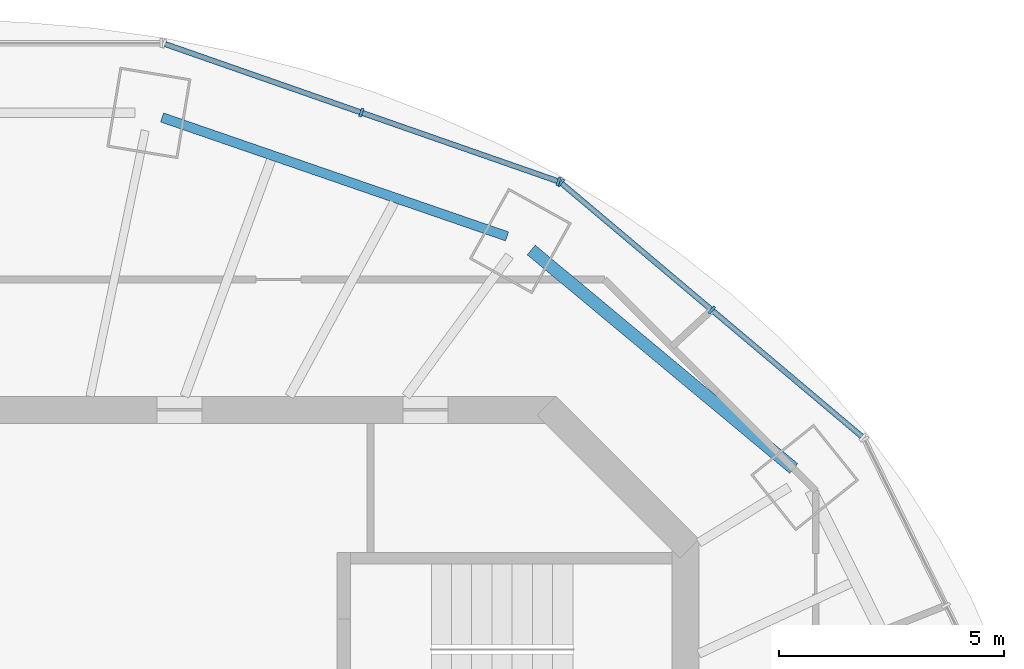
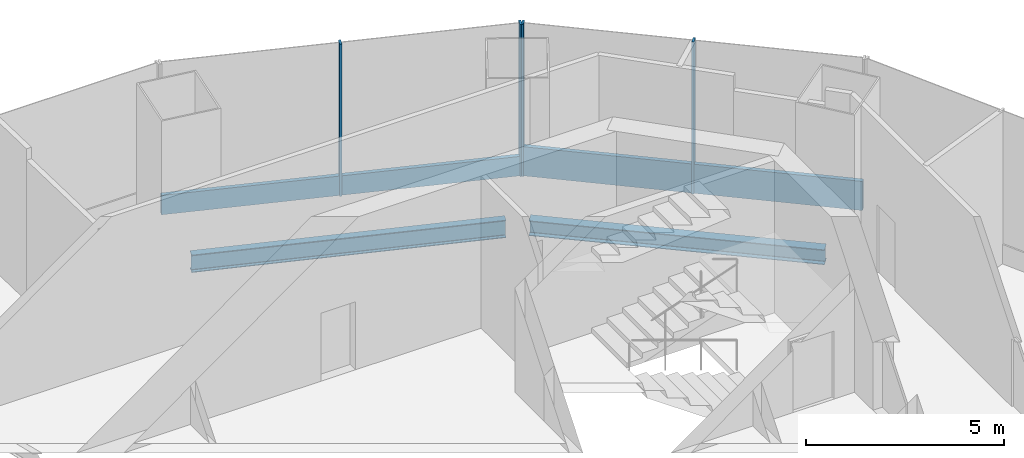
# One storey, part 6 of 11: 6 members, 2 beams, 2 elements without a shape of their own.
"""IFC4 building model written with IfcOpenShell, lengths in metres."""

from ifc_helpers import new_model, si_unit, direction, frame, origin, origin_2d, place, context, subcontext, project, spatial, rectangle, i_section, extrude, material, material_profile, profile_set, type_object, element, aggregate, save


model = new_model("IFC4")

# Units and contexts
model_context = context("Model", 3, precision=1e-05, world=origin(), true_north=direction((0.0, 1.0)))
body_context = subcontext(model_context, "Body", "Model", "MODEL_VIEW")
ifc_project = project(units=[si_unit("LENGTHUNIT", "METRE"), si_unit("AREAUNIT", "SQUARE_METRE"), si_unit("VOLUMEUNIT", "CUBIC_METRE"), si_unit("PLANEANGLEUNIT", "RADIAN"), si_unit("MASSUNIT", "GRAM", prefix="KILO")], contexts=[model_context])

# Site, building, storey
site_placement = place(None, origin())
site = spatial("IfcSite", under=ifc_project, at=site_placement, CompositionType="ELEMENT")
building_placement = place(site_placement, origin())
building = spatial("IfcBuilding", under=site, at=building_placement, Name="Marenthal Gate Tower", CompositionType="ELEMENT")
storey_placement = place(building_placement, frame((0.0, 0.0, 418.550048828125)))
storey = spatial("IfcBuildingStorey", under=building, at=storey_placement, Name="L94", CompositionType="ELEMENT", Elevation=418.550048828125)

# Curtain wall, members
ifc_material_1 = material(Name="Aluminium and glass", Category="aluminium")
curtain_wall_type_1 = type_object("IfcCurtainWallType", Name="Curtain wall crown clad", PredefinedType="NOTDEFINED", material=ifc_material_1)
curtain_wall_1_placement = place(storey_placement, origin())
curtain_wall_1 = element("IfcCurtainWall", 1, at=curtain_wall_1_placement, inside=storey, type_object=curtain_wall_type_1, Name="Curtain wall L94 bay 3", PredefinedType="NOTDEFINED")
ifc_material_2 = material(Name="Aluminium", Category="aluminium")
ifc_material_profile_1 = material_profile(ifc_material_2, rectangle(XDim=0.199951171875, YDim=0.06005859375, at=origin_2d()), Name="60x200 aluminium mullion")
ifc_profile_set_1 = profile_set([ifc_material_profile_1], Name="Aluminium")
member_type_1 = type_object("IfcMemberType", Name="Mullion 60x200 crown clad", PredefinedType="MULLION", material=ifc_profile_set_1)
member_1_placement = place(storey_placement, frame((13.180419921875, 18.078857421875, 0.0), z_axis=(0.0, 0.0, 1.0), x_axis=(-0.329654999466, -0.944101467707, 0.0)))
member_1 = element("IfcMember", 2, at=member_1_placement, type_object=member_type_1, Name="Mullion L94 bay 3.1", PredefinedType="MULLION", context=body_context, shape_type="SweptSolid", body=[
    extrude(rectangle(XDim=0.199951171875, YDim=0.06005859375, at=origin_2d()), origin(), (0.0, 0.0, 1.0), 4.699951171875),
])
member_2_placement = place(storey_placement, frame((8.793701171875, 19.610595703125, 0.0), z_axis=(0.0, 0.0, 1.0), x_axis=(-0.329654999466, -0.944101467707, 0.0)))
member_2 = element("IfcMember", 3, at=member_2_placement, type_object=member_type_1, Name="Mullion L94 bay 3.2", PredefinedType="MULLION", context=body_context, shape_type="SweptSolid", body=[
    extrude(rectangle(XDim=0.199951171875, YDim=0.06005859375, at=origin_2d()), origin(), (0.0, 0.0, 1.0), 4.699951171875),
])

ifc_material_3 = material(Name="Aluminium and glass", Category="aluminium")
curtain_wall_type_2 = type_object("IfcCurtainWallType", Name="Curtain wall typical high", PredefinedType="NOTDEFINED", material=ifc_material_3)
curtain_wall_2_placement = place(storey_placement, origin())
curtain_wall_2 = element("IfcCurtainWall", 4, at=curtain_wall_2_placement, inside=storey, type_object=curtain_wall_type_2, Name="Curtain wall L94 bay 2", PredefinedType="NOTDEFINED")
ifc_material_4 = material(Name="Aluminium", Category="aluminium")
ifc_material_profile_2 = material_profile(ifc_material_4, rectangle(XDim=0.199951171875, YDim=0.06005859375, at=origin_2d()), Name="60x200 aluminium mullion")
ifc_profile_set_2 = profile_set([ifc_material_profile_2], Name="Aluminium")
member_type_2 = type_object("IfcMemberType", Name="Mullion 60x200 typical high", PredefinedType="MULLION", material=ifc_profile_set_2)
member_3_placement = place(storey_placement, frame((16.587646484375, 15.220458984375, 0.0), z_axis=(0.0, 0.0, 1.0), x_axis=(-0.644530734274, -0.76457840185, 0.0)))
member_3 = element("IfcMember", 5, at=member_3_placement, type_object=member_type_2, Name="Mullion L94 bay 2.2", PredefinedType="MULLION", context=body_context, shape_type="SweptSolid", body=[
    extrude(rectangle(XDim=0.199951171875, YDim=0.06005859375, at=origin_2d()), origin(), (0.0, 0.0, 1.0), 4.699951171875),
])
member_4_placement = place(storey_placement, frame((13.231689453125, 18.049560546875, 0.0), z_axis=(0.0, 0.0, 1.0), x_axis=(-0.644530734274, -0.76457840185, 0.0)))
member_4 = element("IfcMember", 6, at=member_4_placement, type_object=member_type_2, Name="Mullion L94 bay 2.3", PredefinedType="MULLION", context=body_context, shape_type="SweptSolid", body=[
    extrude(rectangle(XDim=0.199951171875, YDim=0.06005859375, at=origin_2d()), origin(), (0.0, 0.0, 1.0), 4.699951171875),
])

# Member
ifc_material_5 = material(Name="Aluminium", Category="aluminium")
ifc_material_profile_3 = material_profile(ifc_material_5, rectangle(XDim=0.1201171875, YDim=0.60009765625, at=origin_2d()), Name="120x600 aluminium transom")
ifc_profile_set_3 = profile_set([ifc_material_profile_3], Name="Aluminium")
member_type_3 = type_object("IfcMemberType", Name="Transom 120x600 crown clad", PredefinedType="USERDEFINED", material=ifc_profile_set_3)
member_5_placement = place(storey_placement, frame((13.152099609375, 18.0888671875, 0.300048828125), z_axis=(-0.944108730484, 0.329634198807, 0.0), x_axis=(-0.329634198807, -0.944108730484, 0.0)))
member_5 = element("IfcMember", 7, at=member_5_placement, type_object=member_type_3, Name="Transom L94 bay 3", ObjectType="TRANSOM", PredefinedType="USERDEFINED", context=body_context, shape_type="SweptSolid", body=[
    extrude(rectangle(XDim=0.1201171875, YDim=0.60009765625, at=origin_2d()), origin(), (0.0, 0.0, 1.0), 9.23291015625),
])

aggregate(curtain_wall_1, [member_1, member_2, member_5])

ifc_material_6 = material(Name="Aluminium", Category="aluminium")
ifc_material_profile_4 = material_profile(ifc_material_6, rectangle(XDim=0.1201171875, YDim=0.89990234375, at=origin_2d()), Name="120x900 aluminium transom")
ifc_profile_set_4 = profile_set([ifc_material_profile_4], Name="Aluminium")
member_type_4 = type_object("IfcMemberType", Name="Transom 120x900 typical high", PredefinedType="USERDEFINED", material=ifc_profile_set_4)
member_6_placement = place(storey_placement, frame((19.9208984375, 12.41064453125, 0.449951171875), z_axis=(-0.76457562332, 0.644534030308, 0.0), x_axis=(-0.644534030308, -0.76457562332, 0.0)))
member_6 = element("IfcMember", 8, at=member_6_placement, type_object=member_type_4, Name="Transom L94 bay 2", ObjectType="TRANSOM", PredefinedType="USERDEFINED", context=body_context, shape_type="SweptSolid", body=[
    extrude(rectangle(XDim=0.1201171875, YDim=0.89990234375, at=origin_2d()), origin(), (0.0, 0.0, 1.0), 8.718994140625),
])

aggregate(curtain_wall_2, [member_3, member_4, member_6])

# Beams
ifc_material_7 = material(Name="Steel S355", Category="steel")
ifc_material_profile_5 = material_profile(ifc_material_7, i_section(OverallWidth=0.279052734375, OverallDepth=0.4619140625, WebThickness=0.0107421875, FlangeThickness=0.017333984375, FilletRadius=0.010009765625, at=origin_2d()), Name="W460X113")
ifc_profile_set_5 = profile_set([ifc_material_profile_5], Name="Steel S355")
beam_type_1 = type_object("IfcBeamType", Name="W460X113 beam", PredefinedType="BEAM", material=ifc_profile_set_5)
beam_1_placement = place(storey_placement, frame((18.409912109375, 11.696533203125, -0.43115234375), z_axis=(-0.768663792634, 0.639653010541, 0.0), x_axis=(-0.639653010541, -0.768663792634, 0.0)))
element("IfcBeam", 9, at=beam_1_placement, inside=storey, type_object=beam_type_1, Name="BM-L94-37", PredefinedType="BEAM", context=body_context, shape_type="SweptSolid", body=[
    extrude(i_section(OverallWidth=0.279052734375, OverallDepth=0.4619140625, WebThickness=0.0107421875, FlangeThickness=0.017333984375, FilletRadius=0.010009765625, at=origin_2d()), origin(), (0.0, 0.0, 1.0), 7.59423828125),
])
ifc_material_8 = material(Name="Steel S355", Category="steel")
ifc_material_profile_6 = material_profile(ifc_material_8, i_section(OverallWidth=0.2119140625, OverallDepth=0.5439453125, WebThickness=0.01318359375, FlangeThickness=0.021240234375, FilletRadius=0.0126953125, at=origin_2d()), Name="W530X123")
ifc_profile_set_6 = profile_set([ifc_material_profile_6], Name="Steel S355")
beam_type_2 = type_object("IfcBeamType", Name="W530X123 beam", PredefinedType="BEAM", material=ifc_profile_set_6)
beam_2_placement = place(storey_placement, frame((12.035400390625, 16.857177734375, -0.47216796875), z_axis=(-0.945408151913, 0.325888671628, 0.0), x_axis=(-0.325888671628, -0.945408151913, 0.0)))
element("IfcBeam", 10, at=beam_2_placement, inside=storey, type_object=beam_type_2, Name="BM-L94-38", PredefinedType="BEAM", context=body_context, shape_type="SweptSolid", body=[
    extrude(i_section(OverallWidth=0.2119140625, OverallDepth=0.5439453125, WebThickness=0.01318359375, FlangeThickness=0.021240234375, FilletRadius=0.0126953125, at=origin_2d()), origin(), (0.0, 0.0, 1.0), 8.11328125),
])

save(model, "model.ifc")
